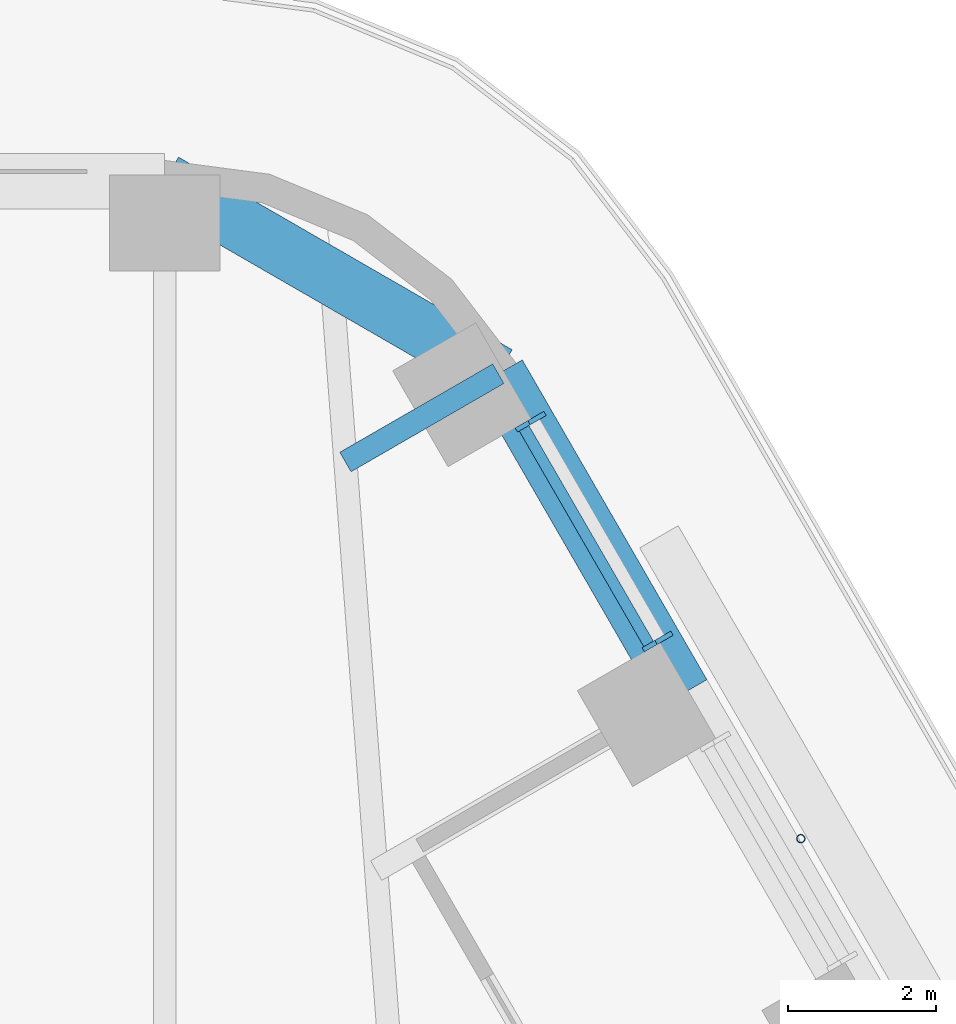
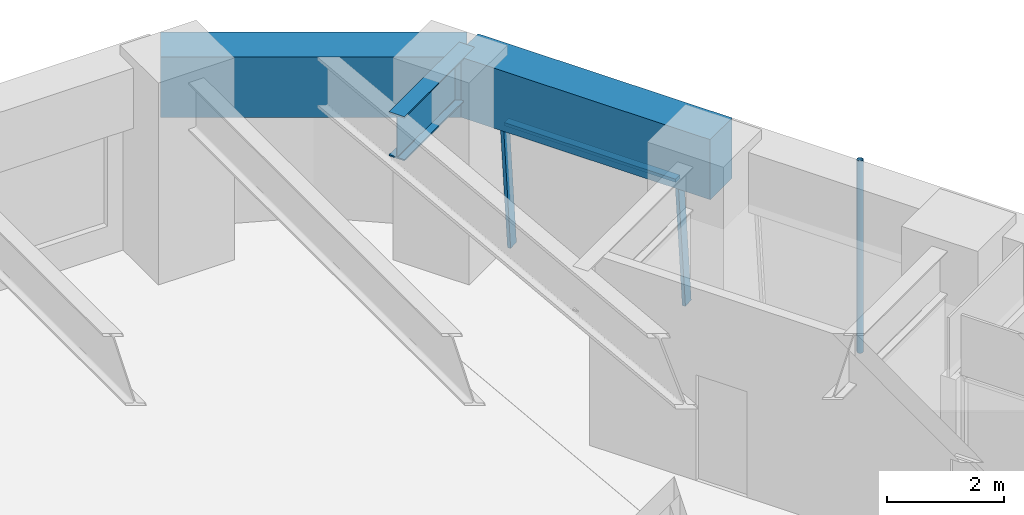
# One storey, part 13 of 24: 4 members, 3 beams, 1 element without a shape of its own.
"""IFC4 building model written with IfcOpenShell, lengths in metres."""

from ifc_helpers import new_model, si_unit, direction, frame, origin, origin_2d, place, context, subcontext, project, spatial, rectangle, hollow_circle, i_section, extrude, material, material_profile, profile_set, type_object, element, aggregate, save


model = new_model("IFC4")

# Units and contexts
model_context = context("Model", 3, precision=1e-05, world=origin(), true_north=direction((0.0, 1.0)))
body_context = subcontext(model_context, "Body", "Model", "MODEL_VIEW")
ifc_project = project(units=[si_unit("LENGTHUNIT", "METRE"), si_unit("AREAUNIT", "SQUARE_METRE"), si_unit("VOLUMEUNIT", "CUBIC_METRE"), si_unit("PLANEANGLEUNIT", "RADIAN"), si_unit("MASSUNIT", "GRAM", prefix="KILO")], contexts=[model_context])

# Site, building, storey
site_placement = place(None, origin())
site = spatial("IfcSite", under=ifc_project, at=site_placement, CompositionType="ELEMENT")
building_placement = place(site_placement, origin())
building = spatial("IfcBuilding", under=site, at=building_placement, Name="Tarfa Lantern Tower", CompositionType="ELEMENT")
storey_placement = place(building_placement, frame((0.0, 0.0, 190.89990234375)))
storey = spatial("IfcBuildingStorey", under=building, at=storey_placement, Name="L43", CompositionType="ELEMENT", Elevation=190.89990234375)

# Curtain wall, members
ifc_material_1 = material(Name="Aluminium framed curtain wall", Category="aluminium")
curtain_wall_type = type_object("IfcCurtainWallType", Name="CW2 CANTED GLAZING MID ZONE 2750", PredefinedType="USERDEFINED", material=ifc_material_1)
curtain_wall_placement = place(storey_placement, origin())
curtain_wall = element("IfcCurtainWall", 1, at=curtain_wall_placement, inside=storey, type_object=curtain_wall_type, Name="CW2 NEB L43", ObjectType="CURTAIN WALL", PredefinedType="USERDEFINED")
ifc_material_2 = material(Name="Aluminium mullion", Category="aluminium")
ifc_material_profile_1 = material_profile(ifc_material_2, rectangle(XDim=0.06494140625, YDim=0.199951171875, at=origin_2d()), Name="AL MULLION 65x200")
ifc_profile_set_1 = profile_set([ifc_material_profile_1], Name="Aluminium mullion")
member_type_1 = type_object("IfcMemberType", Name="CWM1 MULLION 65x200", PredefinedType="MULLION", material=ifc_profile_set_1)
member_1_placement = place(storey_placement, frame((21.79833984375, 25.04443359375, 0.0), z_axis=(-0.078422950161, -0.045267813396, 0.995891894715), x_axis=(0.499919672301, -0.866071776036, 0.0)))
member_1 = element("IfcMember", 2, at=member_1_placement, type_object=member_type_1, Name="CW2 mullion 1", PredefinedType="MULLION", context=body_context, shape_type="SweptSolid", body=[
    extrude(rectangle(XDim=0.06494140625, YDim=0.199951171875, at=origin_2d()), origin(), (0.0, 0.0, 1.0), 2.76123046875),
])
member_2_placement = place(storey_placement, frame((20.078857421875, 28.022216796875, 0.0), z_axis=(-0.078422950161, -0.045267813396, 0.995891894715), x_axis=(0.499919672301, -0.866071776036, 0.0)))
member_2 = element("IfcMember", 3, at=member_2_placement, type_object=member_type_1, Name="CW2 mullion 2", PredefinedType="MULLION", context=body_context, shape_type="SweptSolid", body=[
    extrude(rectangle(XDim=0.06494140625, YDim=0.199951171875, at=origin_2d()), origin(), (0.0, 0.0, 1.0), 2.76123046875),
])
ifc_material_3 = material(Name="Aluminium transom", Category="aluminium")
ifc_material_profile_2 = material_profile(ifc_material_3, rectangle(XDim=0.14990234375, YDim=0.06494140625, at=origin_2d()), Name="AL TRANSOM 150x65")
ifc_profile_set_2 = profile_set([ifc_material_profile_2], Name="Aluminium transom")
member_type_2 = type_object("IfcMemberType", Name="CWT1 TRANSOM 150x65", PredefinedType="USERDEFINED", material=ifc_profile_set_2)
member_3_placement = place(storey_placement, frame((21.568115234375, 24.948974609375, 2.717529296875), z_axis=(-0.500046095904, 0.865998788666, 0.0), x_axis=(-0.865998788666, -0.500046095904, 0.0)))
member_3 = element("IfcMember", 4, at=member_3_placement, type_object=member_type_2, Name="CW2 transom 1.2", ObjectType="TRANSOM", PredefinedType="USERDEFINED", context=body_context, shape_type="SweptSolid", body=[
    extrude(rectangle(XDim=0.14990234375, YDim=0.06494140625, at=origin_2d()), origin(), (0.0, 0.0, 1.0), 3.373779296875),
])
aggregate(curtain_wall, [member_1, member_2, member_3])

# Beams
ifc_material_4 = material(Name="Concrete C80/95", Category="concrete")
ifc_material_profile_3 = material_profile(ifc_material_4, rectangle(XDim=0.75, YDim=1.25, at=origin_2d()), Name="RC 750x1250")
ifc_profile_set_3 = profile_set([ifc_material_profile_3], Name="Concrete C80/95")
beam_type_1 = type_object("IfcBeamType", Name="EB2 RC 750x1250", PredefinedType="SPANDREL", material=ifc_profile_set_3)
beam_1_placement = place(storey_placement, frame((22.03369140625, 24.276611328125, 3.375), z_axis=(-0.500001197378, 0.866024712477, 0.0), x_axis=(-0.866024712477, -0.500001197378, 0.0)))
element("IfcBeam", 5, at=beam_1_placement, inside=storey, type_object=beam_type_1, Name="Edge beam NE5", PredefinedType="SPANDREL", context=body_context, shape_type="SweptSolid", body=[
    extrude(rectangle(XDim=0.75, YDim=1.25, at=origin_2d()), origin(), (0.0, 0.0, 1.0), 5.00390625),
])
beam_2_placement = place(storey_placement, frame((19.53173828125, 28.610107421875, 3.375), z_axis=(-0.86604150238, 0.499972115377, 0.0), x_axis=(-0.499972115377, -0.86604150238, 0.0)))
element("IfcBeam", 6, at=beam_2_placement, inside=storey, type_object=beam_type_1, Name="Edge beam NE6", PredefinedType="SPANDREL", context=body_context, shape_type="SweptSolid", body=[
    extrude(rectangle(XDim=0.75, YDim=1.25, at=origin_2d()), origin(), (0.0, 0.0, 1.0), 5.219970703125),
])

# Member
ifc_material_5 = material(Name="Steel S355", Category="steel")
ifc_material_profile_4 = material_profile(ifc_material_5, hollow_circle(Radius=0.05712890625, WallThickness=0.00634765625, at=origin_2d()), Name="CHS114.3x6.3")
ifc_profile_set_4 = profile_set([ifc_material_profile_4], Name="Steel S355")
member_type_3 = type_object("IfcMemberType", Name="TR1 GREEN WALL TRELLIS CHS114.3x6.3", PredefinedType="USERDEFINED", material=ifc_profile_set_4)
member_4_placement = place(storey_placement, frame((23.630859375, 22.31005859375, 0.0), z_axis=(0.0, 0.0, 1.0), x_axis=(1.0, 0.0, 0.0)))
element("IfcMember", 7, at=member_4_placement, inside=storey, type_object=member_type_3, Name="Trellis post NE 2", ObjectType="TRELLIS", PredefinedType="USERDEFINED", context=body_context, shape_type="SweptSolid", body=[
    extrude(hollow_circle(Radius=0.05712890625, WallThickness=0.00634765625, at=origin_2d()), origin(), (0.0, 0.0, 1.0), 4.0),
])

# Beam
ifc_material_6 = material(Name="Steel S460M", Category="steel")
ifc_material_profile_5 = material_profile(ifc_material_6, i_section(OverallWidth=0.305419921875, OverallDepth=0.91845703125, WebThickness=0.017333984375, FlangeThickness=0.02783203125, FilletRadius=0.01904296875, at=origin_2d()), Name="UB914x305x253")
ifc_profile_set_5 = profile_set([ifc_material_profile_5], Name="Steel S460M")
beam_type_2 = type_object("IfcBeamType", Name="UB914x305x253", PredefinedType="BEAM", material=ifc_profile_set_5)
beam_3_placement = place(storey_placement, frame((19.53173828125, 28.610107421875, 3.541015625), z_axis=(-0.865998640954, -0.500046351717, 0.0), x_axis=(0.500046351717, -0.865998640954, 0.0)))
element("IfcBeam", 8, at=beam_3_placement, inside=storey, type_object=beam_type_2, Name="Floor beam NE6", PredefinedType="BEAM", context=body_context, shape_type="SweptSolid", body=[
    extrude(i_section(OverallWidth=0.305419921875, OverallDepth=0.91845703125, WebThickness=0.017333984375, FlangeThickness=0.02783203125, FilletRadius=0.01904296875, at=origin_2d()), origin(), (0.0, 0.0, 1.0), 2.392333984375),
])

save(model, "model.ifc")
